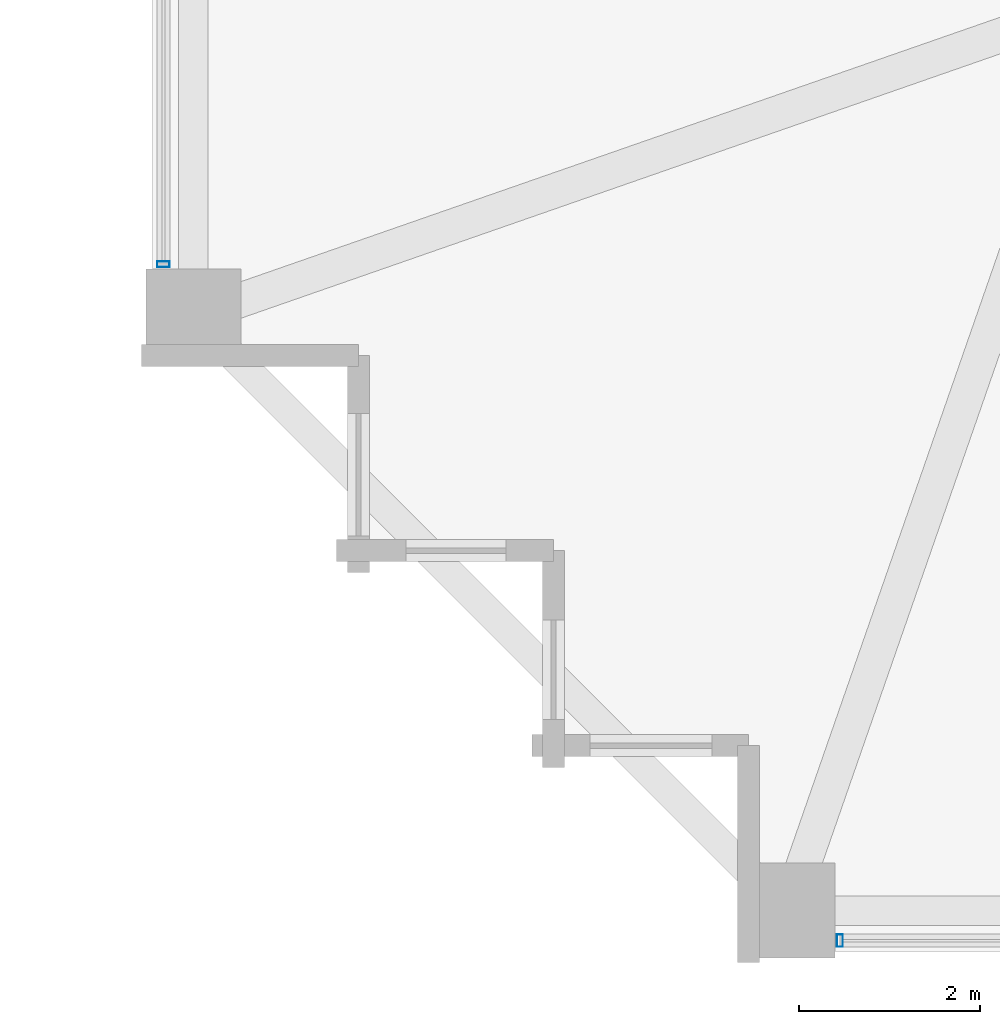
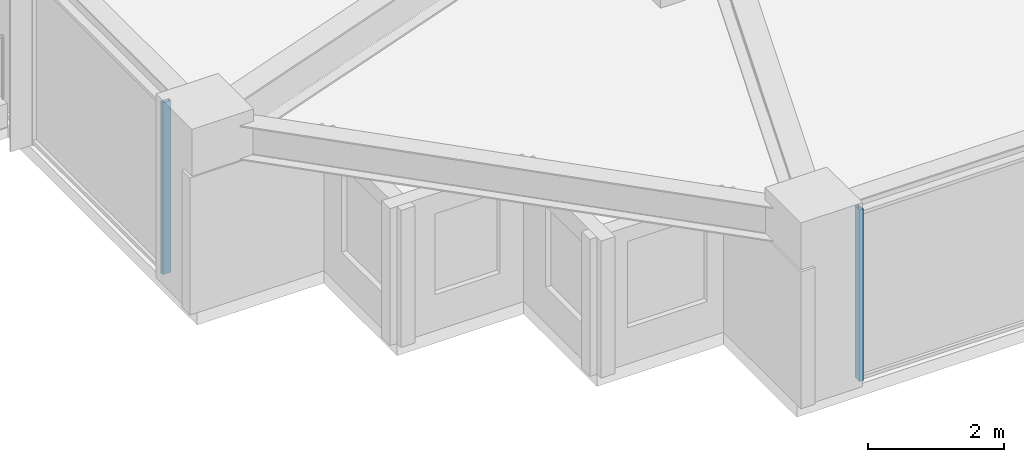
# One storey, part 2 of 36: 2 members, 2 elements without a shape of their own.
"""IFC4 building model written with IfcOpenShell, lengths in metres."""

from ifc_helpers import new_model, si_unit, direction, frame, origin, origin_2d, place, context, subcontext, project, spatial, hollow_rectangle, extrude, material, material_profile, profile_set, type_object, element, aggregate, save


model = new_model("IFC4")

# Units and contexts
model_context = context("Model", 3, precision=1e-05, world=origin(), true_north=direction((0.0, 1.0)))
body_context = subcontext(model_context, "Body", "Model", "MODEL_VIEW")
ifc_project = project(units=[si_unit("LENGTHUNIT", "METRE"), si_unit("AREAUNIT", "SQUARE_METRE"), si_unit("VOLUMEUNIT", "CUBIC_METRE"), si_unit("PLANEANGLEUNIT", "RADIAN"), si_unit("MASSUNIT", "GRAM", prefix="KILO")], contexts=[model_context])

# Site, building, storey
site_placement = place(None, origin())
site = spatial("IfcSite", under=ifc_project, at=site_placement, CompositionType="ELEMENT")
building_placement = place(site_placement, origin())
building = spatial("IfcBuilding", under=site, at=building_placement, Name="Kolvaren Belvedere", CompositionType="ELEMENT")
storey_placement = place(building_placement, frame((0.0, 0.0, 95.300048828125)))
storey = spatial("IfcBuildingStorey", under=building, at=storey_placement, Name="L27", CompositionType="ELEMENT", Elevation=95.300048828125)

# Curtain wall, member
ifc_material_1 = material(Name="Anodised pale-metal aluminium AA 6063-T6", Category="aluminium")
curtain_wall_type = type_object("IfcCurtainWallType", Name="CW-Z2-MID", PredefinedType="NOTDEFINED", material=ifc_material_1)
curtain_wall_1_placement = place(storey_placement, origin())
curtain_wall_1 = element("IfcCurtainWall", 1, at=curtain_wall_1_placement, inside=storey, type_object=curtain_wall_type, Name="L27 Unitised Curtain Wall FCW-L27-S-B3", PredefinedType="NOTDEFINED")
ifc_material_2 = material(Name="Anodised pale-metal aluminium AA 6063-T6", Category="aluminium")
ifc_material_profile = material_profile(ifc_material_2, hollow_rectangle(XDim=0.06494140625, YDim=0.139892578125, WallThickness=0.00390625, at=origin_2d()), Name="ALU-MUL-140X65")
ifc_profile_set = profile_set([ifc_material_profile], Name="Anodised pale-metal aluminium AA 6063-T6")
member_type = type_object("IfcMemberType", Name="CW-MUL-140", PredefinedType="MULLION", material=ifc_profile_set)
member_1_placement = place(storey_placement, frame((-12.822509765625, -20.280029296875, 0.0), z_axis=(0.0, 0.0, 1.0), x_axis=(1.0, 0.0, 0.0)))
member_1 = element("IfcMember", 2, at=member_1_placement, type_object=member_type, Name="FCW-L27-S-B3 Unitised Mullion 3", PredefinedType="MULLION", context=body_context, shape_type="SweptSolid", body=[
    extrude(hollow_rectangle(XDim=0.06494140625, YDim=0.139892578125, WallThickness=0.00390625, at=origin_2d()), origin(), (0.0, 0.0, 1.0), 3.079833984375),
])
aggregate(curtain_wall_1, [member_1])

curtain_wall_2_placement = place(storey_placement, origin())
curtain_wall_2 = element("IfcCurtainWall", 3, at=curtain_wall_2_placement, inside=storey, type_object=curtain_wall_type, Name="L27 Unitised Curtain Wall FCW-L27-W1-B1", PredefinedType="NOTDEFINED")
member_2_placement = place(storey_placement, frame((-20.280029296875, -12.822509765625, 0.0), z_axis=(0.0, 0.0, 1.0), x_axis=(0.0, 1.0, 0.0)))
member_2 = element("IfcMember", 4, at=member_2_placement, type_object=member_type, Name="FCW-L27-W1-B1 Unitised Mullion 1", PredefinedType="MULLION", context=body_context, shape_type="SweptSolid", body=[
    extrude(hollow_rectangle(XDim=0.06494140625, YDim=0.139892578125, WallThickness=0.00390625, at=origin_2d()), origin(), (0.0, 0.0, 1.0), 3.079833984375),
])
aggregate(curtain_wall_2, [member_2])

save(model, "model.ifc")
